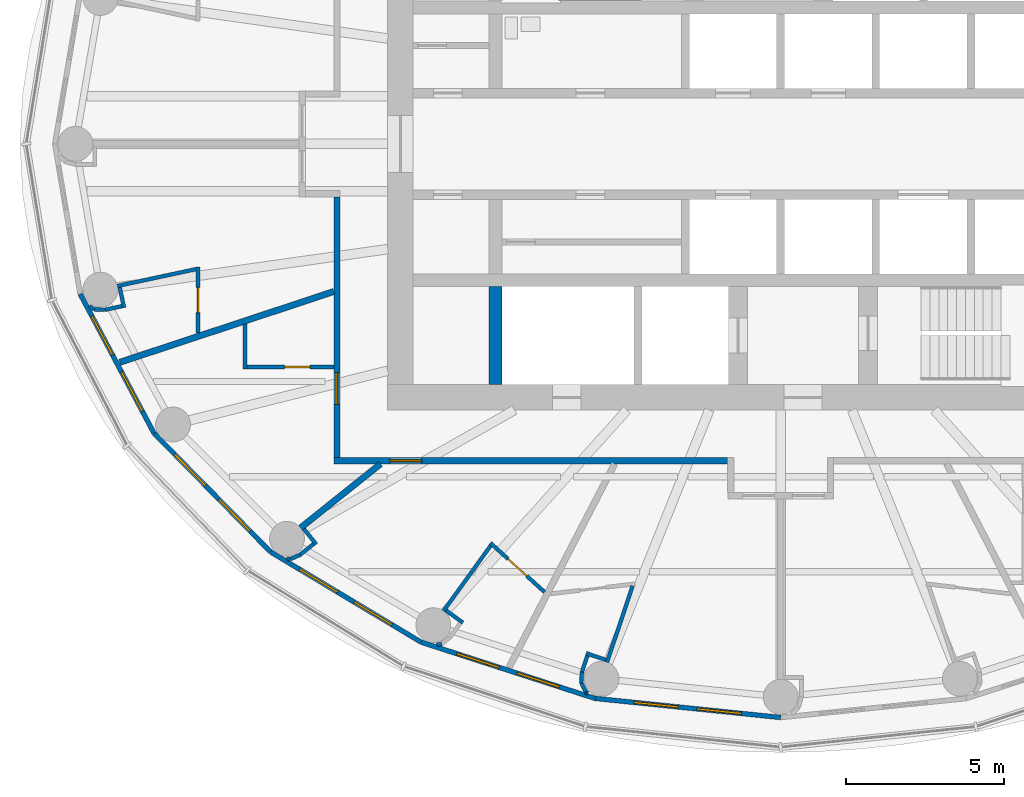
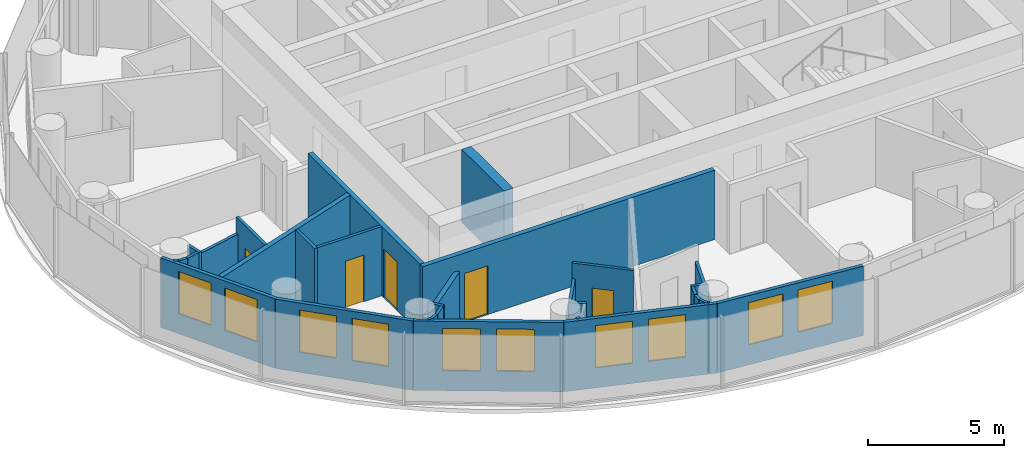
# One storey, part 6 of 16: 32 walls, 10 windows, 5 doors, 15 openings.
"""IFC4 building model written with IfcOpenShell, lengths in metres."""

from ifc_helpers import new_model, si_unit, direction, frame, frame_2d, origin, place, context, subcontext, project, spatial, rectangle, extrude, material, layer, layer_set, type_object, element, fill, save


model = new_model("IFC4")

# Units and contexts
model_context = context("Model", 3, precision=1e-05, world=origin(), true_north=direction((0.0, 1.0)))
body_context = subcontext(model_context, "Body", "Model", "MODEL_VIEW")
ifc_project = project(units=[si_unit("LENGTHUNIT", "METRE"), si_unit("AREAUNIT", "SQUARE_METRE"), si_unit("VOLUMEUNIT", "CUBIC_METRE"), si_unit("PLANEANGLEUNIT", "RADIAN"), si_unit("MASSUNIT", "GRAM", prefix="KILO")], contexts=[model_context])

# Site, building, storey
site_placement = place(None, origin())
site = spatial("IfcSite", under=ifc_project, at=site_placement, CompositionType="ELEMENT")
building_placement = place(site_placement, origin())
building = spatial("IfcBuilding", under=site, at=building_placement, Name="Hankou Lantern Tower", CompositionType="ELEMENT")
storey_placement = place(building_placement, frame((0.0, 0.0, 150.0)))
storey = spatial("IfcBuildingStorey", under=building, at=storey_placement, Name="L39", CompositionType="ELEMENT", Elevation=150.0)

# Wall
ifc_material_1 = material(Name="Concrete C60", Category="concrete")
ifc_layer_1 = layer(ifc_material_1, 0.39990234375)
ifc_layer_set_1 = layer_set([ifc_layer_1], Name="Concrete C60")
wall_type_1 = type_object("IfcWallType", Name="CW4 CORE CROSS WALL 400", PredefinedType="SHEAR", material=ifc_layer_set_1)
wall_1_placement = place(storey_placement, frame((-9.0, -7.60009765625, 0.0), z_axis=(0.0, 0.0, 1.0), x_axis=(0.0, 1.0, 0.0)))
element("IfcWall", 1, at=wall_1_placement, inside=storey, type_object=wall_type_1, Name="Core strip wall L39", PredefinedType="SHEAR", context=body_context, shape_type="SweptSolid", body=[
    extrude(rectangle(XDim=3.10009765625, YDim=0.39990234375, at=frame_2d((1.550048828125, 0.0))), origin(), (0.0, 0.0, 1.0), 3.300048828125),
])

# Wall, openings, windows
ifc_material_2 = material(Name="Aluminium spandrel panel on steel studs", Category="steel")
ifc_layer_2 = layer(ifc_material_2, 0.14990234375)
ifc_layer_set_2 = layer_set([ifc_layer_2], Name="Aluminium spandrel panel on steel studs")
wall_type_2 = type_object("IfcWallType", Name="EW1 INNER SKIN WALL 150", PredefinedType="ELEMENTEDWALL", material=ifc_layer_set_2)
wall_2_placement = place(storey_placement, frame((-22.1015625, -4.73779296875, 0.0), z_axis=(0.0, 0.0, 1.0), x_axis=(0.468428906714, -0.883501193748, 0.0)))
wall_2 = element("IfcWall", 2, at=wall_2_placement, inside=storey, type_object=wall_type_2, Name="Inner skin R14-R15 L39", PredefinedType="ELEMENTEDWALL", context=body_context, shape_type="SweptSolid", body=[
    extrude(rectangle(XDim=4.9736328125, YDim=0.14990234375, at=frame_2d((2.48681640625, 0.0))), origin(), (0.0, 0.0, 1.0), 3.1201171875),
])
opening_1_placement = place(wall_2_placement, frame((0.786865234375, 0.0, 0.89990234375)))
opening_1 = element("IfcOpeningElement", 3, at=opening_1_placement, cuts=wall_2, Name="Opening W3", PredefinedType="OPENING", context=body_context, shape_type="SweptSolid", body=[
    extrude(rectangle(XDim=1.39990234375, YDim=1.89990234375, at=frame_2d((0.699951171875, 0.949951171875))), frame((0.0, 0.0849609375, 0.0), z_axis=(0.0, -1.0, 0.0), x_axis=(1.0, 0.0, 0.0)), (0.0, 0.0, 1.0), 0.169921875),
])
opening_2_placement = place(wall_2_placement, frame((2.786865234375, 0.0, 0.89990234375)))
opening_2 = element("IfcOpeningElement", 4, at=opening_2_placement, cuts=wall_2, Name="Opening W3", PredefinedType="OPENING", context=body_context, shape_type="SweptSolid", body=[
    extrude(rectangle(XDim=1.39990234375, YDim=1.89990234375, at=frame_2d((0.699951171875, 0.949951171875))), frame((0.0, 0.0849609375, 0.0), z_axis=(0.0, -1.0, 0.0), x_axis=(1.0, 0.0, 0.0)), (0.0, 0.0, 1.0), 0.169921875),
])
ifc_material_3 = material(Name="Aluminium framed double glazed window", Category="aluminium")
window_type = type_object("IfcWindowType", Name="W3 GUEST ROOM WINDOW 1400X1900", PartitioningType="DOUBLE_PANEL_VERTICAL", PredefinedType="WINDOW", material=ifc_material_3)
window_1_placement = place(opening_1_placement, origin())
window_1 = element("IfcWindow", 5, at=window_1_placement, inside=storey, type_object=window_type, Name="Window R14.1 L39", OverallHeight=1.89990234375, OverallWidth=1.39990234375, PartitioningType="SINGLE_PANEL", PredefinedType="WINDOW", context=body_context, shape_type="SweptSolid", body=[
    extrude(rectangle(XDim=1.39990234375, YDim=1.89990234375, at=frame_2d((0.699951171875, 0.949951171875))), frame((0.0, 0.030029296875, 0.0), z_axis=(0.0, -1.0, 0.0), x_axis=(1.0, 0.0, 0.0)), (0.0, 0.0, 1.0), 0.06005859375),
])
fill(opening_1, window_1)
window_2_placement = place(opening_2_placement, origin())
window_2 = element("IfcWindow", 6, at=window_2_placement, inside=storey, type_object=window_type, Name="Window R14.2 L39", OverallHeight=1.89990234375, OverallWidth=1.39990234375, PartitioningType="SINGLE_PANEL", PredefinedType="WINDOW", context=body_context, shape_type="SweptSolid", body=[
    extrude(rectangle(XDim=1.39990234375, YDim=1.89990234375, at=frame_2d((0.699951171875, 0.949951171875))), frame((0.0, 0.030029296875, 0.0), z_axis=(0.0, -1.0, 0.0), x_axis=(1.0, 0.0, 0.0)), (0.0, 0.0, 1.0), 0.06005859375),
])
fill(opening_2, window_2)

wall_3_placement = place(storey_placement, frame((-19.771728515625, -9.132080078125, 0.0), z_axis=(0.0, 0.0, 1.0), x_axis=(0.700727467776, -0.71342905457, 0.0)))
wall_3 = element("IfcWall", 7, at=wall_3_placement, inside=storey, type_object=wall_type_2, Name="Inner skin R15-R16 L39", PredefinedType="ELEMENTEDWALL", context=body_context, shape_type="SweptSolid", body=[
    extrude(rectangle(XDim=5.247314453125, YDim=0.14990234375, at=frame_2d((2.62353515625, 0.0))), origin(), (0.0, 0.0, 1.0), 3.1201171875),
])
opening_3_placement = place(wall_3_placement, frame((0.923583984375, 0.0, 0.89990234375)))
opening_3 = element("IfcOpeningElement", 8, at=opening_3_placement, cuts=wall_3, Name="Opening W3", PredefinedType="OPENING", context=body_context, shape_type="SweptSolid", body=[
    extrude(rectangle(XDim=1.39990234375, YDim=1.89990234375, at=frame_2d((0.699951171875, 0.949951171875))), frame((0.0, 0.0849609375, 0.0), z_axis=(0.0, -1.0, 0.0), x_axis=(1.0, 0.0, 0.0)), (0.0, 0.0, 1.0), 0.169921875),
])
opening_4_placement = place(wall_3_placement, frame((2.923583984375, 0.0, 0.89990234375)))
opening_4 = element("IfcOpeningElement", 9, at=opening_4_placement, cuts=wall_3, Name="Opening W3", PredefinedType="OPENING", context=body_context, shape_type="SweptSolid", body=[
    extrude(rectangle(XDim=1.39990234375, YDim=1.89990234375, at=frame_2d((0.699951171875, 0.949951171875))), frame((0.0, 0.0849609375, 0.0), z_axis=(0.0, -1.0, 0.0), x_axis=(1.0, 0.0, 0.0)), (0.0, 0.0, 1.0), 0.169921875),
])
window_3_placement = place(opening_3_placement, origin())
window_3 = element("IfcWindow", 10, at=window_3_placement, inside=storey, type_object=window_type, Name="Window R15.1 L39", OverallHeight=1.89990234375, OverallWidth=1.39990234375, PartitioningType="SINGLE_PANEL", PredefinedType="WINDOW", context=body_context, shape_type="SweptSolid", body=[
    extrude(rectangle(XDim=1.39990234375, YDim=1.89990234375, at=frame_2d((0.699951171875, 0.949951171875))), frame((0.0, 0.030029296875, 0.0), z_axis=(0.0, -1.0, 0.0), x_axis=(1.0, 0.0, 0.0)), (0.0, 0.0, 1.0), 0.06005859375),
])
fill(opening_3, window_3)
window_4_placement = place(opening_4_placement, origin())
window_4 = element("IfcWindow", 11, at=window_4_placement, inside=storey, type_object=window_type, Name="Window R15.2 L39", OverallHeight=1.89990234375, OverallWidth=1.39990234375, PartitioningType="SINGLE_PANEL", PredefinedType="WINDOW", context=body_context, shape_type="SweptSolid", body=[
    extrude(rectangle(XDim=1.39990234375, YDim=1.89990234375, at=frame_2d((0.699951171875, 0.949951171875))), frame((0.0, 0.030029296875, 0.0), z_axis=(0.0, -1.0, 0.0), x_axis=(1.0, 0.0, 0.0)), (0.0, 0.0, 1.0), 0.06005859375),
])
fill(opening_4, window_4)

wall_4_placement = place(storey_placement, frame((-16.0947265625, -12.875732421875, 0.0), z_axis=(0.0, 0.0, 1.0), x_axis=(0.857695199231, -0.514158482587, 0.0)))
wall_4 = element("IfcWall", 12, at=wall_4_placement, inside=storey, type_object=wall_type_2, Name="Inner skin R16-R17 L39", PredefinedType="ELEMENTEDWALL", context=body_context, shape_type="SweptSolid", body=[
    extrude(rectangle(XDim=5.5361328125, YDim=0.14990234375, at=frame_2d((2.76806640625, 0.0))), origin(), (0.0, 0.0, 1.0), 3.1201171875),
])
opening_5_placement = place(wall_4_placement, frame((1.068115234375, 0.0, 0.89990234375)))
opening_5 = element("IfcOpeningElement", 13, at=opening_5_placement, cuts=wall_4, Name="Opening W3", PredefinedType="OPENING", context=body_context, shape_type="SweptSolid", body=[
    extrude(rectangle(XDim=1.39990234375, YDim=1.89990234375, at=frame_2d((0.699951171875, 0.949951171875))), frame((0.0, 0.0849609375, 0.0), z_axis=(0.0, -1.0, 0.0), x_axis=(1.0, 0.0, 0.0)), (0.0, 0.0, 1.0), 0.169921875),
])
opening_6_placement = place(wall_4_placement, frame((3.068115234375, 0.0, 0.89990234375)))
opening_6 = element("IfcOpeningElement", 14, at=opening_6_placement, cuts=wall_4, Name="Opening W3", PredefinedType="OPENING", context=body_context, shape_type="SweptSolid", body=[
    extrude(rectangle(XDim=1.39990234375, YDim=1.89990234375, at=frame_2d((0.699951171875, 0.949951171875))), frame((0.0, 0.0849609375, 0.0), z_axis=(0.0, -1.0, 0.0), x_axis=(1.0, 0.0, 0.0)), (0.0, 0.0, 1.0), 0.169921875),
])
window_5_placement = place(opening_5_placement, origin())
window_5 = element("IfcWindow", 15, at=window_5_placement, inside=storey, type_object=window_type, Name="Window R16.1 L39", OverallHeight=1.89990234375, OverallWidth=1.39990234375, PartitioningType="SINGLE_PANEL", PredefinedType="WINDOW", context=body_context, shape_type="SweptSolid", body=[
    extrude(rectangle(XDim=1.39990234375, YDim=1.89990234375, at=frame_2d((0.699951171875, 0.949951171875))), frame((0.0, 0.030029296875, 0.0), z_axis=(0.0, -1.0, 0.0), x_axis=(1.0, 0.0, 0.0)), (0.0, 0.0, 1.0), 0.06005859375),
])
fill(opening_5, window_5)
window_6_placement = place(opening_6_placement, origin())
window_6 = element("IfcWindow", 16, at=window_6_placement, inside=storey, type_object=window_type, Name="Window R16.2 L39", OverallHeight=1.89990234375, OverallWidth=1.39990234375, PartitioningType="SINGLE_PANEL", PredefinedType="WINDOW", context=body_context, shape_type="SweptSolid", body=[
    extrude(rectangle(XDim=1.39990234375, YDim=1.89990234375, at=frame_2d((0.699951171875, 0.949951171875))), frame((0.0, 0.030029296875, 0.0), z_axis=(0.0, -1.0, 0.0), x_axis=(1.0, 0.0, 0.0)), (0.0, 0.0, 1.0), 0.06005859375),
])
fill(opening_6, window_6)

wall_5_placement = place(storey_placement, frame((-11.346435546875, -15.72216796875, 0.0), z_axis=(0.0, 0.0, 1.0), x_axis=(0.951432482129, -0.307857486429, 0.0)))
wall_5 = element("IfcWall", 17, at=wall_5_placement, inside=storey, type_object=wall_type_2, Name="Inner skin R17-R18 L39", PredefinedType="ELEMENTEDWALL", context=body_context, shape_type="SweptSolid", body=[
    extrude(rectangle(XDim=5.76611328125, YDim=0.14990234375, at=frame_2d((2.883056640625, 0.0))), origin(), (0.0, 0.0, 1.0), 3.1201171875),
])
opening_7_placement = place(wall_5_placement, frame((1.18310546875, 0.0, 0.89990234375)))
opening_7 = element("IfcOpeningElement", 18, at=opening_7_placement, cuts=wall_5, Name="Opening W3", PredefinedType="OPENING", context=body_context, shape_type="SweptSolid", body=[
    extrude(rectangle(XDim=1.39990234375, YDim=1.89990234375, at=frame_2d((0.699951171875, 0.949951171875))), frame((0.0, 0.0849609375, 0.0), z_axis=(0.0, -1.0, 0.0), x_axis=(1.0, 0.0, 0.0)), (0.0, 0.0, 1.0), 0.169921875),
])
opening_8_placement = place(wall_5_placement, frame((3.18310546875, 0.0, 0.89990234375)))
opening_8 = element("IfcOpeningElement", 19, at=opening_8_placement, cuts=wall_5, Name="Opening W3", PredefinedType="OPENING", context=body_context, shape_type="SweptSolid", body=[
    extrude(rectangle(XDim=1.39990234375, YDim=1.89990234375, at=frame_2d((0.699951171875, 0.949951171875))), frame((0.0, 0.0849609375, 0.0), z_axis=(0.0, -1.0, 0.0), x_axis=(1.0, 0.0, 0.0)), (0.0, 0.0, 1.0), 0.169921875),
])
window_7_placement = place(opening_7_placement, origin())
window_7 = element("IfcWindow", 20, at=window_7_placement, inside=storey, type_object=window_type, Name="Window R17.1 L39", OverallHeight=1.89990234375, OverallWidth=1.39990234375, PartitioningType="SINGLE_PANEL", PredefinedType="WINDOW", context=body_context, shape_type="SweptSolid", body=[
    extrude(rectangle(XDim=1.39990234375, YDim=1.89990234375, at=frame_2d((0.699951171875, 0.949951171875))), frame((0.0, 0.030029296875, 0.0), z_axis=(0.0, -1.0, 0.0), x_axis=(1.0, 0.0, 0.0)), (0.0, 0.0, 1.0), 0.06005859375),
])
fill(opening_7, window_7)
window_8_placement = place(opening_8_placement, origin())
window_8 = element("IfcWindow", 21, at=window_8_placement, inside=storey, type_object=window_type, Name="Window R17.2 L39", OverallHeight=1.89990234375, OverallWidth=1.39990234375, PartitioningType="SINGLE_PANEL", PredefinedType="WINDOW", context=body_context, shape_type="SweptSolid", body=[
    extrude(rectangle(XDim=1.39990234375, YDim=1.89990234375, at=frame_2d((0.699951171875, 0.949951171875))), frame((0.0, 0.030029296875, 0.0), z_axis=(0.0, -1.0, 0.0), x_axis=(1.0, 0.0, 0.0)), (0.0, 0.0, 1.0), 0.06005859375),
])
fill(opening_8, window_8)

wall_6_placement = place(storey_placement, frame((-5.8603515625, -17.497314453125, 0.0), z_axis=(0.0, 0.0, 1.0), x_axis=(0.994751738032, -0.102318032045, 0.0)))
wall_6 = element("IfcWall", 22, at=wall_6_placement, inside=storey, type_object=wall_type_2, Name="Inner skin R18-R19 L39", PredefinedType="ELEMENTEDWALL", context=body_context, shape_type="SweptSolid", body=[
    extrude(rectangle(XDim=5.891357421875, YDim=0.14990234375, at=frame_2d((2.94580078125, 0.0))), origin(), (0.0, 0.0, 1.0), 3.1201171875),
])
opening_9_placement = place(wall_6_placement, frame((1.24560546875, 0.0, 0.89990234375)))
opening_9 = element("IfcOpeningElement", 23, at=opening_9_placement, cuts=wall_6, Name="Opening W3", PredefinedType="OPENING", context=body_context, shape_type="SweptSolid", body=[
    extrude(rectangle(XDim=1.39990234375, YDim=1.89990234375, at=frame_2d((0.699951171875, 0.949951171875))), frame((0.0, 0.0849609375, 0.0), z_axis=(0.0, -1.0, 0.0), x_axis=(1.0, 0.0, 0.0)), (0.0, 0.0, 1.0), 0.169921875),
])
opening_10_placement = place(wall_6_placement, frame((3.24560546875, 0.0, 0.89990234375)))
opening_10 = element("IfcOpeningElement", 24, at=opening_10_placement, cuts=wall_6, Name="Opening W3", PredefinedType="OPENING", context=body_context, shape_type="SweptSolid", body=[
    extrude(rectangle(XDim=1.39990234375, YDim=1.89990234375, at=frame_2d((0.699951171875, 0.949951171875))), frame((0.0, 0.0849609375, 0.0), z_axis=(0.0, -1.0, 0.0), x_axis=(1.0, 0.0, 0.0)), (0.0, 0.0, 1.0), 0.169921875),
])
window_9_placement = place(opening_9_placement, origin())
window_9 = element("IfcWindow", 25, at=window_9_placement, inside=storey, type_object=window_type, Name="Window R18.1 L39", OverallHeight=1.89990234375, OverallWidth=1.39990234375, PartitioningType="SINGLE_PANEL", PredefinedType="WINDOW", context=body_context, shape_type="SweptSolid", body=[
    extrude(rectangle(XDim=1.39990234375, YDim=1.89990234375, at=frame_2d((0.699951171875, 0.949951171875))), frame((0.0, 0.030029296875, 0.0), z_axis=(0.0, -1.0, 0.0), x_axis=(1.0, 0.0, 0.0)), (0.0, 0.0, 1.0), 0.06005859375),
])
fill(opening_9, window_9)
window_10_placement = place(opening_10_placement, origin())
window_10 = element("IfcWindow", 26, at=window_10_placement, inside=storey, type_object=window_type, Name="Window R18.2 L39", OverallHeight=1.89990234375, OverallWidth=1.39990234375, PartitioningType="SINGLE_PANEL", PredefinedType="WINDOW", context=body_context, shape_type="SweptSolid", body=[
    extrude(rectangle(XDim=1.39990234375, YDim=1.89990234375, at=frame_2d((0.699951171875, 0.949951171875))), frame((0.0, 0.030029296875, 0.0), z_axis=(0.0, -1.0, 0.0), x_axis=(1.0, 0.0, 0.0)), (0.0, 0.0, 1.0), 0.06005859375),
])
fill(opening_10, window_10)

# Walls
ifc_material_4 = material(Name="Masonry lightweight concrete block", Category="masonry")
ifc_layer_3 = layer(ifc_material_4, 0.199951171875)
ifc_layer_set_3 = layer_set([ifc_layer_3], Name="Masonry lightweight concrete block")
wall_type_3 = type_object("IfcWallType", Name="IW1 GUEST ROOM PARTY WALL 200", PredefinedType="PARTITIONING", material=ifc_layer_set_3)
wall_7_placement = place(storey_placement, frame((-14.10009765625, -4.661376953125, 0.0), z_axis=(0.0, 0.0, 1.0), x_axis=(-0.949453216399, -0.313908569285, 0.0)))
element("IfcWall", 27, at=wall_7_placement, inside=storey, type_object=wall_type_3, Name="Party wall R14-R15", PredefinedType="PARTITIONING", context=body_context, shape_type="SweptSolid", body=[
    extrude(rectangle(XDim=7.108642578125, YDim=0.199951171875, at=frame_2d((3.55419921875, 0.0))), origin(), (0.0, 0.0, 1.0), 3.1201171875),
])
wall_8_placement = place(storey_placement, frame((-12.625, -10.10009765625, 0.0), z_axis=(0.0, 0.0, 1.0), x_axis=(-0.780876185034, -0.624685827954, 0.0)))
element("IfcWall", 28, at=wall_8_placement, inside=storey, type_object=wall_type_3, Name="Party wall R16", PredefinedType="PARTITIONING", context=body_context, shape_type="SweptSolid", body=[
    extrude(rectangle(XDim=3.229248046875, YDim=0.199951171875, at=frame_2d((1.61474609375, 0.0))), origin(), (0.0, 0.0, 1.0), 2.419921875),
])

# Wall, opening, door
ifc_material_5 = material(Name="Masonry lightweight concrete block", Category="masonry")
ifc_layer_4 = layer(ifc_material_5, 0.199951171875)
ifc_layer_set_4 = layer_set([ifc_layer_4], Name="Masonry lightweight concrete block")
wall_type_4 = type_object("IfcWallType", Name="IW2 CORRIDOR WALL 200", PredefinedType="PARTITIONING", material=ifc_layer_set_4)
wall_9_placement = place(storey_placement, frame((-14.0, -1.669921875, 0.0), z_axis=(0.0, 0.0, 1.0), x_axis=(0.0, -1.0, 0.0)))
wall_9 = element("IfcWall", 29, at=wall_9_placement, inside=storey, type_object=wall_type_4, Name="Corridor wall west", PredefinedType="PARTITIONING", context=body_context, shape_type="SweptSolid", body=[
    extrude(rectangle(XDim=8.22998046875, YDim=0.199951171875, at=frame_2d((4.114990234375, 0.0))), origin(), (0.0, 0.0, 1.0), 3.1201171875),
])
opening_11_placement = place(wall_9_placement, frame((5.551513671875, 0.0, 0.0)))
opening_11 = element("IfcOpeningElement", 30, at=opening_11_placement, cuts=wall_9, Name="Opening D1", PredefinedType="OPENING", context=body_context, shape_type="SweptSolid", body=[
    extrude(rectangle(XDim=1.0, YDim=2.199951171875, at=frame_2d((0.5, 1.10009765625))), frame((0.0, 0.10986328125, 0.0), z_axis=(0.0, -1.0, 0.0), x_axis=(1.0, 0.0, 0.0)), (0.0, 0.0, 1.0), 0.219970703125),
])
ifc_material_6 = material(Name="Steel door leaf", Category="steel")
door_type_1 = type_object("IfcDoorType", Name="D1 GUEST ROOM DOOR 1000X2200", OperationType="SINGLE_SWING_LEFT", PredefinedType="DOOR", material=ifc_material_6)
door_1_placement = place(opening_11_placement, origin())
door_1 = element("IfcDoor", 31, at=door_1_placement, inside=storey, type_object=door_type_1, Name="Guest room door 3909", OperationType="SINGLE_SWING_RIGHT", OverallHeight=2.199951171875, OverallWidth=1.0, PredefinedType="DOOR", context=body_context, shape_type="SweptSolid", body=[
    extrude(rectangle(XDim=1.0, YDim=2.199951171875, at=frame_2d((0.5, 1.10009765625))), frame((0.0, 0.02490234375, 0.0), z_axis=(0.0, -1.0, 0.0), x_axis=(1.0, 0.0, 0.0)), (0.0, 0.0, 1.0), 0.050048828125),
])
fill(opening_11, door_1)

wall_10_placement = place(storey_placement, frame((-1.669921875, -10.0, 0.0), z_axis=(0.0, 0.0, 1.0), x_axis=(-1.0, 0.0, 0.0)))
wall_10 = element("IfcWall", 32, at=wall_10_placement, inside=storey, type_object=wall_type_4, Name="Corridor wall south", PredefinedType="PARTITIONING", context=body_context, shape_type="SweptSolid", body=[
    extrude(rectangle(XDim=12.43017578125, YDim=0.199951171875, at=frame_2d((6.215087890625, 0.0))), origin(), (0.0, 0.0, 1.0), 3.1201171875),
])
opening_12_placement = place(wall_10_placement, frame((9.655029296875, 0.0, 0.0)))
opening_12 = element("IfcOpeningElement", 33, at=opening_12_placement, cuts=wall_10, Name="Opening D1", PredefinedType="OPENING", context=body_context, shape_type="SweptSolid", body=[
    extrude(rectangle(XDim=1.0, YDim=2.199951171875, at=frame_2d((0.5, 1.10009765625))), frame((0.0, 0.10986328125, 0.0), z_axis=(0.0, -1.0, 0.0), x_axis=(1.0, 0.0, 0.0)), (0.0, 0.0, 1.0), 0.219970703125),
])
door_2_placement = place(opening_12_placement, origin())
door_2 = element("IfcDoor", 34, at=door_2_placement, inside=storey, type_object=door_type_1, Name="Guest room door 3910", OperationType="SINGLE_SWING_LEFT", OverallHeight=2.199951171875, OverallWidth=1.0, PredefinedType="DOOR", context=body_context, shape_type="SweptSolid", body=[
    extrude(rectangle(XDim=1.0, YDim=2.199951171875, at=frame_2d((0.5, 1.10009765625))), frame((0.0, 0.02490234375, 0.0), z_axis=(0.0, -1.0, 0.0), x_axis=(1.0, 0.0, 0.0)), (0.0, 0.0, 1.0), 0.050048828125),
])
fill(opening_12, door_2)

ifc_material_7 = material(Name="Masonry lightweight concrete block", Category="masonry")
ifc_layer_5 = layer(ifc_material_7, 0.1201171875)
ifc_layer_set_5 = layer_set([ifc_layer_5], Name="Masonry lightweight concrete block")
wall_type_5 = type_object("IfcWallType", Name="IW3 BATHROOM WALL 120", PredefinedType="PARTITIONING", material=ifc_layer_set_5)
wall_11_placement = place(storey_placement, frame((-18.380859375, -5.971435546875, 0.0), z_axis=(0.0, 0.0, 1.0), x_axis=(-0.000934142516, 0.999999563689, 0.0)))
wall_11 = element("IfcWall", 35, at=wall_11_placement, inside=storey, type_object=wall_type_5, Name="Box wall 3908 1", PredefinedType="PARTITIONING", context=body_context, shape_type="SweptSolid", body=[
    extrude(rectangle(XDim=2.0908203125, YDim=0.1201171875, at=frame_2d((1.04541015625, 0.0))), origin(), (0.0, 0.0, 1.0), 3.1201171875),
])
opening_13_placement = place(wall_11_placement, frame((0.6455078125, 0.0, 0.0)))
opening_13 = element("IfcOpeningElement", 36, at=opening_13_placement, cuts=wall_11, Name="Opening D3", PredefinedType="OPENING", context=body_context, shape_type="SweptSolid", body=[
    extrude(rectangle(XDim=0.800048828125, YDim=2.10009765625, at=frame_2d((0.39990234375, 1.050048828125))), frame((0.0, 0.070068359375, 0.0), z_axis=(0.0, -1.0, 0.0), x_axis=(1.0, 0.0, 0.0)), (0.0, 0.0, 1.0), 0.14013671875),
])
ifc_material_8 = material(Name="Timber door leaf", Category="wood")
door_type_2 = type_object("IfcDoorType", Name="D3 BATHROOM DOOR 800X2100", OperationType="SINGLE_SWING_LEFT", PredefinedType="DOOR", material=ifc_material_8)
door_3_placement = place(opening_13_placement, origin())
door_3 = element("IfcDoor", 37, at=door_3_placement, inside=storey, type_object=door_type_2, Name="En-suite bathroom 3908 door", OperationType="SINGLE_SWING_RIGHT", OverallHeight=2.10009765625, OverallWidth=0.800048828125, PredefinedType="DOOR", context=body_context, shape_type="SweptSolid", body=[
    extrude(rectangle(XDim=0.800048828125, YDim=2.10009765625, at=frame_2d((0.39990234375, 1.050048828125))), frame((0.0, 0.02490234375, 0.0), z_axis=(0.0, -1.0, 0.0), x_axis=(1.0, 0.0, 0.0)), (0.0, 0.0, 1.0), 0.050048828125),
])
fill(opening_13, door_3)

# Walls
wall_12_placement = place(storey_placement, frame((-18.44140625, -3.953125, 0.0), z_axis=(0.0, 0.0, 1.0), x_axis=(-0.977801007461, -0.209535652833, 0.0)))
element("IfcWall", 38, at=wall_12_placement, inside=storey, type_object=wall_type_5, Name="Box wall 3908 2", PredefinedType="PARTITIONING", context=body_context, shape_type="SweptSolid", body=[
    extrude(rectangle(XDim=2.5400390625, YDim=0.1201171875, at=frame_2d((1.27001953125, 0.0))), origin(), (0.0, 0.0, 1.0), 2.419921875),
])
wall_13_placement = place(storey_placement, frame((-20.853759765625, -4.531494140625, 0.0), z_axis=(0.0, 0.0, 1.0), x_axis=(0.209631346779, -0.977780496046, 0.0)))
element("IfcWall", 39, at=wall_13_placement, inside=storey, type_object=wall_type_5, Name="Column casing 3908 return", PredefinedType="PARTITIONING", context=body_context, shape_type="SweptSolid", body=[
    extrude(rectangle(XDim=0.652099609375, YDim=0.1201171875, at=frame_2d((0.326171875, 0.0))), origin(), (0.0, 0.0, 1.0), 3.1201171875),
])
wall_14_placement = place(storey_placement, frame((-20.788330078125, -5.123291015625, 0.0), z_axis=(0.0, 0.0, 1.0), x_axis=(-0.977789415726, -0.209589738521, 0.0)))
element("IfcWall", 40, at=wall_14_placement, inside=storey, type_object=wall_type_5, Name="Column casing 3908", PredefinedType="PARTITIONING", context=body_context, shape_type="SweptSolid", body=[
    extrude(rectangle(XDim=0.5498046875, YDim=0.1201171875, at=frame_2d((0.27490234375, 0.0))), origin(), (0.0, 0.0, 1.0), 3.1201171875),
])
wall_15_placement = place(storey_placement, frame((-21.325927734375, -5.238525390625, 0.0), z_axis=(0.0, 0.0, 1.0), x_axis=(-0.998719689441, 0.050586380797, 0.0)))
element("IfcWall", 41, at=wall_15_placement, inside=storey, type_object=wall_type_5, Name="Column casing 3908", PredefinedType="PARTITIONING", context=body_context, shape_type="SweptSolid", body=[
    extrude(rectangle(XDim=0.337890625, YDim=0.1201171875, at=frame_2d((0.1689453125, 0.0))), origin(), (0.0, 0.0, 1.0), 3.1201171875),
])
wall_16_placement = place(storey_placement, frame((-21.663330078125, -5.221435546875, 0.0), z_axis=(0.0, 0.0, 1.0), x_axis=(-0.839279022252, 0.543700949795, 0.0)))
element("IfcWall", 42, at=wall_16_placement, inside=storey, type_object=wall_type_5, Name="Column casing 3908", PredefinedType="PARTITIONING", context=body_context, shape_type="SweptSolid", body=[
    extrude(rectangle(XDim=0.18017578125, YDim=0.1201171875, at=frame_2d((0.090087890625, 0.0))), origin(), (0.0, 0.0, 1.0), 3.1201171875),
])
wall_17_placement = place(storey_placement, frame((-16.89990234375, -5.687255859375, 0.0), z_axis=(0.0, 0.0, 1.0), x_axis=(0.0, -1.0, 0.0)))
element("IfcWall", 43, at=wall_17_placement, inside=storey, type_object=wall_type_5, Name="Box wall 3909 1", PredefinedType="PARTITIONING", context=body_context, shape_type="SweptSolid", body=[
    extrude(rectangle(XDim=1.414306640625, YDim=0.1201171875, at=frame_2d((0.70703125, 0.0))), origin(), (0.0, 0.0, 1.0), 3.1201171875),
])

# Wall, opening, door
wall_18_placement = place(storey_placement, frame((-14.10009765625, -7.04150390625, 0.0), z_axis=(0.0, 0.0, 1.0), x_axis=(-1.0, 0.0, 0.0)))
wall_18 = element("IfcWall", 44, at=wall_18_placement, inside=storey, type_object=wall_type_5, Name="Box wall 3909 1", PredefinedType="PARTITIONING", context=body_context, shape_type="SweptSolid", body=[
    extrude(rectangle(XDim=2.739990234375, YDim=0.1201171875, at=frame_2d((1.3701171875, 0.0))), origin(), (0.0, 0.0, 1.0), 3.1201171875),
])
opening_14_placement = place(wall_18_placement, frame((0.75, 0.0, 0.0)))
opening_14 = element("IfcOpeningElement", 45, at=opening_14_placement, cuts=wall_18, Name="Opening D3", PredefinedType="OPENING", context=body_context, shape_type="SweptSolid", body=[
    extrude(rectangle(XDim=0.800048828125, YDim=2.10009765625, at=frame_2d((0.39990234375, 1.050048828125))), frame((0.0, 0.070068359375, 0.0), z_axis=(0.0, -1.0, 0.0), x_axis=(1.0, 0.0, 0.0)), (0.0, 0.0, 1.0), 0.14013671875),
])
door_4_placement = place(opening_14_placement, origin())
door_4 = element("IfcDoor", 46, at=door_4_placement, inside=storey, type_object=door_type_2, Name="En-suite bathroom 3909 door", OperationType="SINGLE_SWING_LEFT", OverallHeight=2.10009765625, OverallWidth=0.800048828125, PredefinedType="DOOR", context=body_context, shape_type="SweptSolid", body=[
    extrude(rectangle(XDim=0.800048828125, YDim=2.10009765625, at=frame_2d((0.39990234375, 1.050048828125))), frame((0.0, 0.02490234375, 0.0), z_axis=(0.0, -1.0, 0.0), x_axis=(1.0, 0.0, 0.0)), (0.0, 0.0, 1.0), 0.050048828125),
])
fill(opening_14, door_4)

wall_19_placement = place(storey_placement, frame((-7.44970703125, -14.1416015625, 0.0), z_axis=(0.0, 0.0, 1.0), x_axis=(-0.74113984586, 0.671350675041, 0.0)))
wall_19 = element("IfcWall", 47, at=wall_19_placement, inside=storey, type_object=wall_type_5, Name="Box wall 3910 1", PredefinedType="PARTITIONING", context=body_context, shape_type="SweptSolid", body=[
    extrude(rectangle(XDim=2.308837890625, YDim=0.1201171875, at=frame_2d((1.154296875, 0.0))), origin(), (0.0, 0.0, 1.0), 3.1201171875),
])
opening_15_placement = place(wall_19_placement, frame((0.75439453125, 0.0, 0.0)))
opening_15 = element("IfcOpeningElement", 48, at=opening_15_placement, cuts=wall_19, Name="Opening D3", PredefinedType="OPENING", context=body_context, shape_type="SweptSolid", body=[
    extrude(rectangle(XDim=0.800048828125, YDim=2.10009765625, at=frame_2d((0.39990234375, 1.050048828125))), frame((0.0, 0.070068359375, 0.0), z_axis=(0.0, -1.0, 0.0), x_axis=(1.0, 0.0, 0.0)), (0.0, 0.0, 1.0), 0.14013671875),
])
door_5_placement = place(opening_15_placement, origin())
door_5 = element("IfcDoor", 49, at=door_5_placement, inside=storey, type_object=door_type_2, Name="En-suite bathroom 3910 door", OperationType="SINGLE_SWING_RIGHT", OverallHeight=2.10009765625, OverallWidth=0.800048828125, PredefinedType="DOOR", context=body_context, shape_type="SweptSolid", body=[
    extrude(rectangle(XDim=0.800048828125, YDim=2.10009765625, at=frame_2d((0.39990234375, 1.050048828125))), frame((0.0, 0.02490234375, 0.0), z_axis=(0.0, -1.0, 0.0), x_axis=(1.0, 0.0, 0.0)), (0.0, 0.0, 1.0), 0.050048828125),
])
fill(opening_15, door_5)

# Walls
wall_20_placement = place(storey_placement, frame((-9.1513671875, -12.6806640625, 0.0), z_axis=(0.0, 0.0, 1.0), x_axis=(-0.585258912334, -0.8108464747, 0.0)))
element("IfcWall", 50, at=wall_20_placement, inside=storey, type_object=wall_type_5, Name="Box wall 3910 2", PredefinedType="PARTITIONING", context=body_context, shape_type="SweptSolid", body=[
    extrude(rectangle(XDim=2.5400390625, YDim=0.1201171875, at=frame_2d((1.27001953125, 0.0))), origin(), (0.0, 0.0, 1.0), 2.419921875),
])
wall_21_placement = place(storey_placement, frame((-10.55419921875, -14.726806640625, 0.0), z_axis=(0.0, 0.0, 1.0), x_axis=(0.811044231224, -0.584984833135, 0.0)))
element("IfcWall", 51, at=wall_21_placement, inside=storey, type_object=wall_type_5, Name="Column casing 3910 return", PredefinedType="PARTITIONING", context=body_context, shape_type="SweptSolid", body=[
    extrude(rectangle(XDim=0.65234375, YDim=0.1201171875, at=frame_2d((0.326171875, 0.0))), origin(), (0.0, 0.0, 1.0), 3.1201171875),
])
wall_22_placement = place(storey_placement, frame((-10.692626953125, -15.78125, 0.0), z_axis=(0.0, 0.0, 1.0), x_axis=(-0.987256785332, -0.159135287777, 0.0)))
element("IfcWall", 52, at=wall_22_placement, inside=storey, type_object=wall_type_5, Name="Column casing 3910", PredefinedType="PARTITIONING", context=body_context, shape_type="SweptSolid", body=[
    extrude(rectangle(XDim=0.157958984375, YDim=0.1201171875, at=frame_2d((0.0791015625, 0.0))), origin(), (0.0, 0.0, 1.0), 3.1201171875),
])
wall_23_placement = place(storey_placement, frame((-4.67138671875, -13.947509765625, 0.0), z_axis=(0.0, 0.0, 1.0), x_axis=(-0.317669167093, -0.948201613729, 0.0)))
element("IfcWall", 53, at=wall_23_placement, inside=storey, type_object=wall_type_5, Name="Box wall 3911 2", PredefinedType="PARTITIONING", context=body_context, shape_type="SweptSolid", body=[
    extrude(rectangle(XDim=2.5400390625, YDim=0.1201171875, at=frame_2d((1.27001953125, 0.0))), origin(), (0.0, 0.0, 1.0), 2.419921875),
])
wall_24_placement = place(storey_placement, frame((-5.51611328125, -16.280029296875, 0.0), z_axis=(0.0, 0.0, 1.0), x_axis=(-0.948157944392, 0.317799484717, 0.0)))
element("IfcWall", 54, at=wall_24_placement, inside=storey, type_object=wall_type_5, Name="Column casing 3911 return", PredefinedType="PARTITIONING", context=body_context, shape_type="SweptSolid", body=[
    extrude(rectangle(XDim=0.652099609375, YDim=0.1201171875, at=frame_2d((0.326171875, 0.0))), origin(), (0.0, 0.0, 1.0), 3.1201171875),
])
wall_25_placement = place(storey_placement, frame((-6.0966796875, -16.148681640625, 0.0), z_axis=(0.0, 0.0, 1.0), x_axis=(-0.317292604854, -0.948327687514, 0.0)))
element("IfcWall", 55, at=wall_25_placement, inside=storey, type_object=wall_type_5, Name="Column casing 3911", PredefinedType="PARTITIONING", context=body_context, shape_type="SweptSolid", body=[
    extrude(rectangle(XDim=0.550048828125, YDim=0.1201171875, at=frame_2d((0.27490234375, 0.0))), origin(), (0.0, 0.0, 1.0), 3.1201171875),
])
for number, where, z_axis, x_axis, name in (
    (56, (-6.271240234375, -16.67041015625, 0.0), (0.0, 0.0, 1.0), (-0.061477694849, -0.998108457552, 0.0), "Column casing 3911"),
    (57, (-6.2919921875, -17.00732421875, 0.0), (0.0, 0.0, 1.0), (0.445477128334, -0.895293319606, 0.0), "Column casing 3911"),
):
    element("IfcWall", number, at=place(storey_placement, frame(where, z_axis=z_axis, x_axis=x_axis)), inside=storey, type_object=wall_type_5, Name=name, PredefinedType="PARTITIONING", context=body_context, shape_type="SweptSolid", body=[
        extrude(rectangle(XDim=0.337646484375, YDim=0.1201171875, at=frame_2d((0.1689453125, 0.0))), origin(), (0.0, 0.0, 1.0), 3.1201171875),
    ])
wall_26_placement = place(storey_placement, frame((-6.1416015625, -17.3095703125, 0.0), z_axis=(0.0, 0.0, 1.0), x_axis=(0.835039693181, -0.550189704386, 0.0)))
element("IfcWall", 58, at=wall_26_placement, inside=storey, type_object=wall_type_5, Name="Column casing 3911", PredefinedType="PARTITIONING", context=body_context, shape_type="SweptSolid", body=[
    extrude(rectangle(XDim=0.0625, YDim=0.1201171875, at=frame_2d((0.03125, 0.0))), origin(), (0.0, 0.0, 1.0), 3.1201171875),
])
ifc_material_9 = material(Name="Masonry lightweight concrete block", Category="masonry")
ifc_layer_6 = layer(ifc_material_9, 0.1201171875)
ifc_layer_set_6 = layer_set([ifc_layer_6], Name="Masonry lightweight concrete block")
wall_type_6 = type_object("IfcWallType", Name="IW4 PARTITION 120", PredefinedType="PARTITIONING", material=ifc_layer_set_6)
wall_27_placement = place(storey_placement, frame((-15.037353515625, -12.157958984375, 0.0), z_axis=(0.0, 0.0, 1.0), x_axis=(0.624840920722, -0.78075208856, 0.0)))
element("IfcWall", 59, at=wall_27_placement, inside=storey, type_object=wall_type_6, Name="Column casing R16 return", PredefinedType="PARTITIONING", context=body_context, shape_type="SweptSolid", body=[
    extrude(rectangle(XDim=0.6123046875, YDim=0.1201171875, at=frame_2d((0.30615234375, 0.0))), origin(), (0.0, 0.0, 1.0), 3.1201171875),
])
wall_28_placement = place(storey_placement, frame((-14.7392578125, -12.626708984375, 0.0), z_axis=(0.0, 0.0, 1.0), x_axis=(-0.780912119987, -0.624640905527, 0.0)))
element("IfcWall", 60, at=wall_28_placement, inside=storey, type_object=wall_type_6, Name="Column casing R16", PredefinedType="PARTITIONING", context=body_context, shape_type="SweptSolid", body=[
    extrude(rectangle(XDim=0.5498046875, YDim=0.1201171875, at=frame_2d((0.27490234375, 0.0))), origin(), (0.0, 0.0, 1.0), 3.1201171875),
])
wall_29_placement = place(storey_placement, frame((-15.168701171875, -12.97021484375, 0.0), z_axis=(0.0, 0.0, 1.0), x_axis=(-0.915974725257, -0.401235968838, 0.0)))
element("IfcWall", 61, at=wall_29_placement, inside=storey, type_object=wall_type_6, Name="Column casing R16", PredefinedType="PARTITIONING", context=body_context, shape_type="SweptSolid", body=[
    extrude(rectangle(XDim=0.337646484375, YDim=0.1201171875, at=frame_2d((0.1689453125, 0.0))), origin(), (0.0, 0.0, 1.0), 3.1201171875),
])
wall_30_placement = place(storey_placement, frame((-15.47802734375, -13.105712890625, 0.0), z_axis=(0.0, 0.0, 1.0), x_axis=(-0.993778813557, 0.111371763588, 0.0)))
element("IfcWall", 62, at=wall_30_placement, inside=storey, type_object=wall_type_6, Name="Column casing R16", PredefinedType="PARTITIONING", context=body_context, shape_type="SweptSolid", body=[
    extrude(rectangle(XDim=0.114013671875, YDim=0.1201171875, at=frame_2d((0.05712890625, 0.0))), origin(), (0.0, 0.0, 1.0), 3.1201171875),
])

save(model, "model.ifc")
